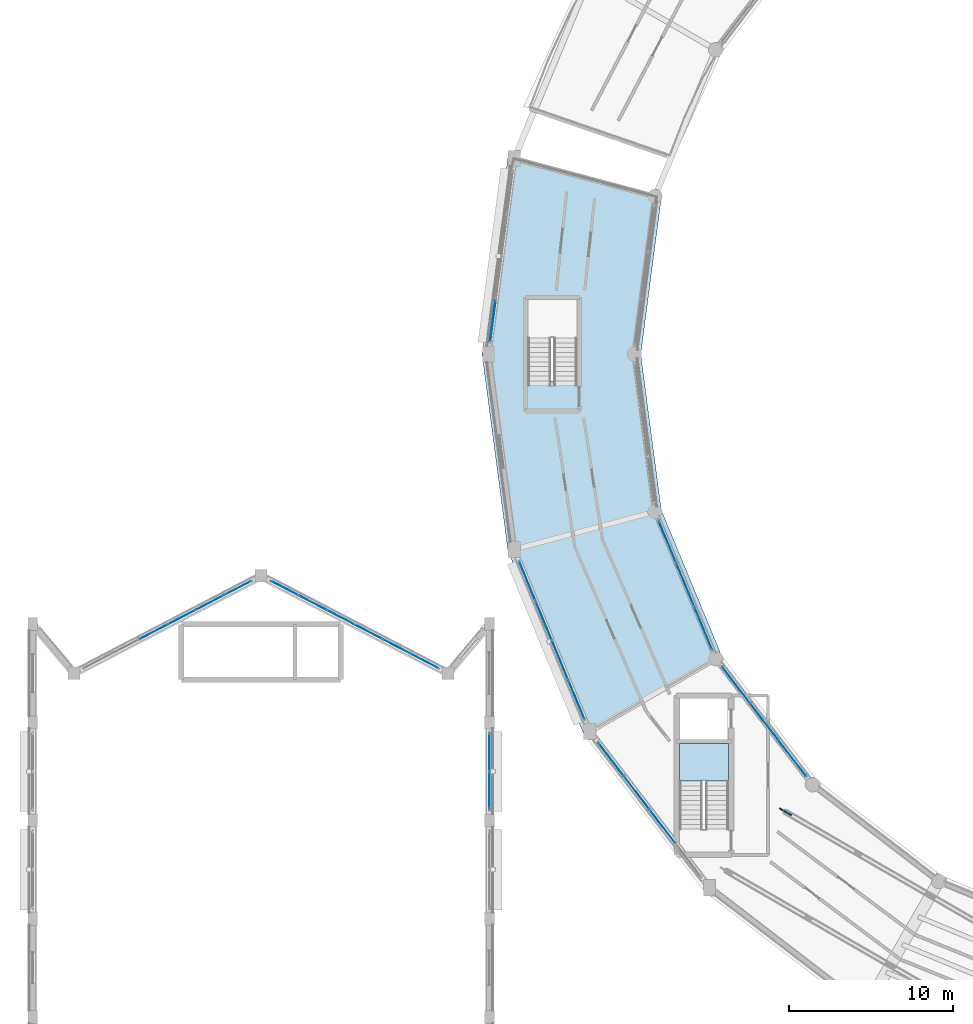
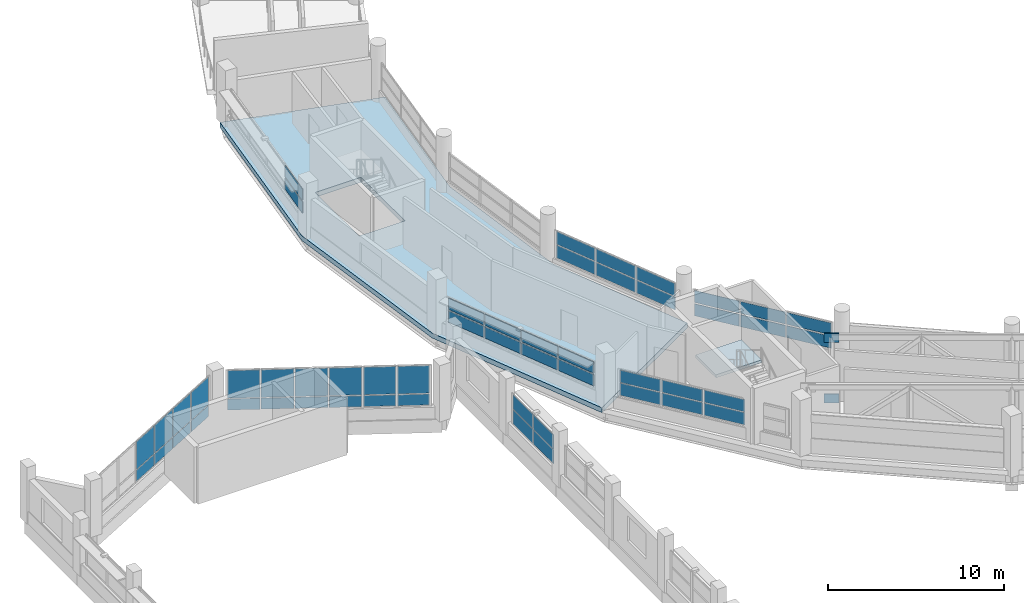
# One storey, part 88 of 121: 54 plates, 2 slabs, 9 elements without a shape of their own.
"""IFC4 building model written with IfcOpenShell, lengths in metres."""

from ifc_helpers import new_model, si_unit, direction, frame, origin, origin_2d, place, context, subcontext, project, spatial, polyline, rectangle, outline, extrude, material, layer, layer_set, type_object, element, aggregate, save


model = new_model("IFC4")

# Units and contexts
model_context = context("Model", 3, precision=1e-05, world=origin(), true_north=direction((0.0, 1.0)))
body_context = subcontext(model_context, "Body", "Model", "MODEL_VIEW")
ifc_project = project(units=[si_unit("LENGTHUNIT", "METRE"), si_unit("AREAUNIT", "SQUARE_METRE"), si_unit("VOLUMEUNIT", "CUBIC_METRE"), si_unit("PLANEANGLEUNIT", "RADIAN"), si_unit("MASSUNIT", "GRAM", prefix="KILO")], contexts=[model_context])

# Site, building, storey
site_placement = place(None, origin())
site = spatial("IfcSite", under=ifc_project, at=site_placement, CompositionType="ELEMENT")
building_placement = place(site_placement, origin())
building = spatial("IfcBuilding", under=site, at=building_placement, Name="Vespera Passage Community Centre", CompositionType="ELEMENT")
storey_placement = place(building_placement, frame((0.0, 0.0, 8.699951171875)))
storey = spatial("IfcBuildingStorey", under=building, at=storey_placement, Name="L02", CompositionType="ELEMENT", Elevation=8.699951171875)

# Curtain wall, plates
ifc_material_1 = material(Name="Anodized aluminium 6063-T6", Category="aluminium")
ifc_layer_1 = layer(ifc_material_1, 0.159912109375)
ifc_layer_set_1 = layer_set([ifc_layer_1], Name="Anodized aluminium 6063-T6")
curtain_wall_type_1 = type_object("IfcCurtainWallType", Name="CW-35E", PredefinedType="NOTDEFINED", material=ifc_layer_set_1)
curtain_wall_1_placement = place(storey_placement, origin())
curtain_wall_1 = element("IfcCurtainWall", 1, at=curtain_wall_1_placement, inside=storey, type_object=curtain_wall_type_1, Name="V4 L02 Outer Ribbon Curtain Wall 13", PredefinedType="NOTDEFINED")
ifc_material_2 = material(Name="Low-E insulated vision glass", Category="glass")
ifc_layer_2 = layer(ifc_material_2, 0.028076171875)
ifc_layer_set_2 = layer_set([ifc_layer_2], Name="Low-E insulated vision glass")
plate_type_1 = type_object("IfcPlateType", Name="PL-CWP-28E", PredefinedType="CURTAIN_PANEL", material=ifc_layer_set_2)
plate_1_placement = place(storey_placement, frame((37.2763671875, 44.381103515625, 0.920166015625), z_axis=(0.0, 0.0, 1.0), x_axis=(-0.382679142535, 0.923881309405, 0.0)))
plate_1 = element("IfcPlate", 2, at=plate_1_placement, type_object=plate_type_1, Name="CW-35E panel 1.1", PredefinedType="CURTAIN_PANEL", context=body_context, shape_type="SweptSolid", body=[
    extrude(rectangle(XDim=2.51806640625, YDim=0.028076171875, at=origin_2d()), origin(), (0.0, 0.0, 1.0), 0.78271484375),
])
plate_2_placement = place(storey_placement, frame((37.2763671875, 44.381103515625, 1.802978515625), z_axis=(0.0, 0.0, 1.0), x_axis=(-0.382679142535, 0.923881309405, 0.0)))
plate_2 = element("IfcPlate", 3, at=plate_2_placement, type_object=plate_type_1, Name="CW-35E panel 1.2", PredefinedType="CURTAIN_PANEL", context=body_context, shape_type="SweptSolid", body=[
    extrude(rectangle(XDim=2.51806640625, YDim=0.028076171875, at=origin_2d()), origin(), (0.0, 0.0, 1.0), 0.78271484375),
])
plate_3_placement = place(storey_placement, frame((36.27685546875, 46.7939453125, 0.920166015625), z_axis=(0.0, 0.0, 1.0), x_axis=(-0.382679142535, 0.923881309405, 0.0)))
plate_3 = element("IfcPlate", 4, at=plate_3_placement, type_object=plate_type_1, Name="CW-35E panel 2.1", PredefinedType="CURTAIN_PANEL", context=body_context, shape_type="SweptSolid", body=[
    extrude(rectangle(XDim=2.555419921875, YDim=0.028076171875, at=origin_2d()), origin(), (0.0, 0.0, 1.0), 0.78271484375),
])
plate_4_placement = place(storey_placement, frame((36.27685546875, 46.7939453125, 1.802978515625), z_axis=(0.0, 0.0, 1.0), x_axis=(-0.382679142535, 0.923881309405, 0.0)))
plate_4 = element("IfcPlate", 5, at=plate_4_placement, type_object=plate_type_1, Name="CW-35E panel 2.2", PredefinedType="CURTAIN_PANEL", context=body_context, shape_type="SweptSolid", body=[
    extrude(rectangle(XDim=2.555419921875, YDim=0.028076171875, at=origin_2d()), origin(), (0.0, 0.0, 1.0), 0.78271484375),
])
plate_5_placement = place(storey_placement, frame((35.270263671875, 49.224365234375, 0.920166015625), z_axis=(0.0, 0.0, 1.0), x_axis=(-0.382679142535, 0.923881309405, 0.0)))
plate_5 = element("IfcPlate", 6, at=plate_5_placement, type_object=plate_type_1, Name="CW-35E panel 3.1", PredefinedType="CURTAIN_PANEL", context=body_context, shape_type="SweptSolid", body=[
    extrude(rectangle(XDim=2.555419921875, YDim=0.028076171875, at=origin_2d()), origin(), (0.0, 0.0, 1.0), 0.78271484375),
])
plate_6_placement = place(storey_placement, frame((35.270263671875, 49.224365234375, 1.802978515625), z_axis=(0.0, 0.0, 1.0), x_axis=(-0.382679142535, 0.923881309405, 0.0)))
plate_6 = element("IfcPlate", 7, at=plate_6_placement, type_object=plate_type_1, Name="CW-35E panel 3.2", PredefinedType="CURTAIN_PANEL", context=body_context, shape_type="SweptSolid", body=[
    extrude(rectangle(XDim=2.555419921875, YDim=0.028076171875, at=origin_2d()), origin(), (0.0, 0.0, 1.0), 0.78271484375),
])
plate_7_placement = place(storey_placement, frame((34.270751953125, 51.63720703125, 0.920166015625), z_axis=(0.0, 0.0, 1.0), x_axis=(-0.382679142535, 0.923881309405, 0.0)))
plate_7 = element("IfcPlate", 8, at=plate_7_placement, type_object=plate_type_1, Name="CW-35E panel 4.1", PredefinedType="CURTAIN_PANEL", context=body_context, shape_type="SweptSolid", body=[
    extrude(rectangle(XDim=2.51806640625, YDim=0.028076171875, at=origin_2d()), origin(), (0.0, 0.0, 1.0), 0.78271484375),
])
plate_8_placement = place(storey_placement, frame((34.270751953125, 51.63720703125, 1.802978515625), z_axis=(0.0, 0.0, 1.0), x_axis=(-0.382679142535, 0.923881309405, 0.0)))
plate_8 = element("IfcPlate", 9, at=plate_8_placement, type_object=plate_type_1, Name="CW-35E panel 4.2", PredefinedType="CURTAIN_PANEL", context=body_context, shape_type="SweptSolid", body=[
    extrude(rectangle(XDim=2.51806640625, YDim=0.028076171875, at=origin_2d()), origin(), (0.0, 0.0, 1.0), 0.78271484375),
])
aggregate(curtain_wall_1, [plate_1, plate_2, plate_3, plate_4, plate_5, plate_6, plate_7, plate_8])

ifc_material_3 = material(Name="Anodized aluminium 6063-T6", Category="aluminium")
ifc_layer_3 = layer(ifc_material_3, 0.159912109375)
ifc_layer_set_3 = layer_set([ifc_layer_3], Name="Anodized aluminium 6063-T6")
curtain_wall_type_2 = type_object("IfcCurtainWallType", Name="CW-25E", PredefinedType="NOTDEFINED", material=ifc_layer_set_3)
curtain_wall_2_placement = place(storey_placement, origin())
curtain_wall_2 = element("IfcCurtainWall", 10, at=curtain_wall_2_placement, inside=storey, type_object=curtain_wall_type_2, Name="V4 L02 Inner Court Curtain Wall 13", PredefinedType="NOTDEFINED")
plate_9_placement = place(storey_placement, frame((42.831787109375, 54.02685546875, 0.880126953125), z_axis=(0.0, 0.0, 1.0), x_axis=(0.382690463482, -0.923876620096, 0.0)))
plate_9 = element("IfcPlate", 11, at=plate_9_placement, type_object=plate_type_1, Name="CW-25E panel 1.1", PredefinedType="CURTAIN_PANEL", context=body_context, shape_type="SweptSolid", body=[
    extrude(rectangle(XDim=2.7646484375, YDim=0.028076171875, at=origin_2d()), origin(), (0.0, 0.0, 1.0), 0.884765625),
])
plate_10_placement = place(storey_placement, frame((42.831787109375, 54.02685546875, 1.82470703125), z_axis=(0.0, 0.0, 1.0), x_axis=(0.382690463482, -0.923876620096, 0.0)))
plate_10 = element("IfcPlate", 12, at=plate_10_placement, type_object=plate_type_1, Name="CW-25E panel 1.2", PredefinedType="CURTAIN_PANEL", context=body_context, shape_type="SweptSolid", body=[
    extrude(rectangle(XDim=2.7646484375, YDim=0.028076171875, at=origin_2d()), origin(), (0.0, 0.0, 1.0), 0.884765625),
])
plate_11_placement = place(storey_placement, frame((43.92578125, 51.385986328125, 0.880126953125), z_axis=(0.0, 0.0, 1.0), x_axis=(0.382690463482, -0.923876620096, 0.0)))
plate_11 = element("IfcPlate", 13, at=plate_11_placement, type_object=plate_type_1, Name="CW-25E panel 2.1", PredefinedType="CURTAIN_PANEL", context=body_context, shape_type="SweptSolid", body=[
    extrude(rectangle(XDim=2.80224609375, YDim=0.028076171875, at=origin_2d()), origin(), (0.0, 0.0, 1.0), 0.884765625),
])
plate_12_placement = place(storey_placement, frame((43.92578125, 51.385986328125, 1.82470703125), z_axis=(0.0, 0.0, 1.0), x_axis=(0.382690463482, -0.923876620096, 0.0)))
plate_12 = element("IfcPlate", 14, at=plate_12_placement, type_object=plate_type_1, Name="CW-25E panel 2.2", PredefinedType="CURTAIN_PANEL", context=body_context, shape_type="SweptSolid", body=[
    extrude(rectangle(XDim=2.80224609375, YDim=0.028076171875, at=origin_2d()), origin(), (0.0, 0.0, 1.0), 0.884765625),
])
plate_13_placement = place(storey_placement, frame((45.019775390625, 48.7451171875, 0.880126953125), z_axis=(0.0, 0.0, 1.0), x_axis=(0.382690463482, -0.923876620096, 0.0)))
plate_13 = element("IfcPlate", 15, at=plate_13_placement, type_object=plate_type_1, Name="CW-25E panel 3.1", PredefinedType="CURTAIN_PANEL", context=body_context, shape_type="SweptSolid", body=[
    extrude(rectangle(XDim=2.7646484375, YDim=0.028076171875, at=origin_2d()), origin(), (0.0, 0.0, 1.0), 0.884765625),
])
plate_14_placement = place(storey_placement, frame((45.019775390625, 48.7451171875, 1.82470703125), z_axis=(0.0, 0.0, 1.0), x_axis=(0.382690463482, -0.923876620096, 0.0)))
plate_14 = element("IfcPlate", 16, at=plate_14_placement, type_object=plate_type_1, Name="CW-25E panel 3.2", PredefinedType="CURTAIN_PANEL", context=body_context, shape_type="SweptSolid", body=[
    extrude(rectangle(XDim=2.7646484375, YDim=0.028076171875, at=origin_2d()), origin(), (0.0, 0.0, 1.0), 0.884765625),
])
aggregate(curtain_wall_2, [plate_9, plate_10, plate_11, plate_12, plate_13, plate_14])

ifc_material_4 = material(Name="Anodized aluminium 6063-T6", Category="aluminium")
ifc_layer_4 = layer(ifc_material_4, 0.159912109375)
ifc_layer_set_4 = layer_set([ifc_layer_4], Name="Anodized aluminium 6063-T6")
curtain_wall_type_3 = type_object("IfcCurtainWallType", Name="CW-87E", PredefinedType="NOTDEFINED", material=ifc_layer_set_4)
curtain_wall_3_placement = place(storey_placement, origin())
curtain_wall_3 = element("IfcCurtainWall", 17, at=curtain_wall_3_placement, inside=storey, type_object=curtain_wall_type_3, Name="V1 L02 N Apse Ribbon Curtain Wall 2", PredefinedType="NOTDEFINED")
plate_15_placement = place(storey_placement, frame((11.428466796875, 48.529052734375, 0.85986328125), z_axis=(0.0, 0.0, 1.0), x_axis=(0.887012747062, 0.46174493668, 0.0)))
plate_15 = element("IfcPlate", 18, at=plate_15_placement, type_object=plate_type_1, Name="CW-87E panel 3.1", PredefinedType="CURTAIN_PANEL", context=body_context, shape_type="SweptSolid", body=[
    extrude(rectangle(XDim=1.859619140625, YDim=0.028076171875, at=origin_2d()), origin(), (0.0, 0.0, 1.0), 0.760009765625),
])
plate_16_placement = place(storey_placement, frame((11.428466796875, 48.529052734375, 1.68017578125), z_axis=(0.0, 0.0, 1.0), x_axis=(0.887012747062, 0.46174493668, 0.0)))
plate_16 = element("IfcPlate", 19, at=plate_16_placement, type_object=plate_type_1, Name="CW-87E panel 3.2", PredefinedType="CURTAIN_PANEL", context=body_context, shape_type="SweptSolid", body=[
    extrude(rectangle(XDim=1.859619140625, YDim=0.028076171875, at=origin_2d()), origin(), (0.0, 0.0, 1.0), 1.909912109375),
])
plate_17_placement = place(storey_placement, frame((13.144287109375, 49.42236328125, 0.85986328125), z_axis=(0.0, 0.0, 1.0), x_axis=(0.887012747062, 0.46174493668, 0.0)))
plate_17 = element("IfcPlate", 20, at=plate_17_placement, type_object=plate_type_1, Name="CW-87E panel 4.1", PredefinedType="CURTAIN_PANEL", context=body_context, shape_type="SweptSolid", body=[
    extrude(rectangle(XDim=1.859619140625, YDim=0.028076171875, at=origin_2d()), origin(), (0.0, 0.0, 1.0), 0.760009765625),
])
plate_18_placement = place(storey_placement, frame((13.144287109375, 49.42236328125, 1.68017578125), z_axis=(0.0, 0.0, 1.0), x_axis=(0.887012747062, 0.46174493668, 0.0)))
plate_18 = element("IfcPlate", 21, at=plate_18_placement, type_object=plate_type_1, Name="CW-87E panel 4.2", PredefinedType="CURTAIN_PANEL", context=body_context, shape_type="SweptSolid", body=[
    extrude(rectangle(XDim=1.859619140625, YDim=0.028076171875, at=origin_2d()), origin(), (0.0, 0.0, 1.0), 1.909912109375),
])
plate_19_placement = place(storey_placement, frame((14.8603515625, 50.315673828125, 0.85986328125), z_axis=(0.0, 0.0, 1.0), x_axis=(0.887012747062, 0.46174493668, 0.0)))
plate_19 = element("IfcPlate", 22, at=plate_19_placement, type_object=plate_type_1, Name="CW-87E panel 5.1", PredefinedType="CURTAIN_PANEL", context=body_context, shape_type="SweptSolid", body=[
    extrude(rectangle(XDim=1.859619140625, YDim=0.028076171875, at=origin_2d()), origin(), (0.0, 0.0, 1.0), 0.760009765625),
])
plate_20_placement = place(storey_placement, frame((14.8603515625, 50.315673828125, 1.68017578125), z_axis=(0.0, 0.0, 1.0), x_axis=(0.887012747062, 0.46174493668, 0.0)))
plate_20 = element("IfcPlate", 23, at=plate_20_placement, type_object=plate_type_1, Name="CW-87E panel 5.2", PredefinedType="CURTAIN_PANEL", context=body_context, shape_type="SweptSolid", body=[
    extrude(rectangle(XDim=1.859619140625, YDim=0.028076171875, at=origin_2d()), origin(), (0.0, 0.0, 1.0), 1.909912109375),
])
plate_21_placement = place(storey_placement, frame((16.5595703125, 51.2001953125, 0.85986328125), z_axis=(0.0, 0.0, 1.0), x_axis=(0.887012747062, 0.46174493668, 0.0)))
plate_21 = element("IfcPlate", 24, at=plate_21_placement, type_object=plate_type_1, Name="CW-87E panel 6.1", PredefinedType="CURTAIN_PANEL", context=body_context, shape_type="SweptSolid", body=[
    extrude(rectangle(XDim=1.822021484375, YDim=0.028076171875, at=origin_2d()), origin(), (0.0, 0.0, 1.0), 0.760009765625),
])
plate_22_placement = place(storey_placement, frame((16.5595703125, 51.2001953125, 1.68017578125), z_axis=(0.0, 0.0, 1.0), x_axis=(0.887012747062, 0.46174493668, 0.0)))
plate_22 = element("IfcPlate", 25, at=plate_22_placement, type_object=plate_type_1, Name="CW-87E panel 6.2", PredefinedType="CURTAIN_PANEL", context=body_context, shape_type="SweptSolid", body=[
    extrude(rectangle(XDim=1.822021484375, YDim=0.028076171875, at=origin_2d()), origin(), (0.0, 0.0, 1.0), 1.909912109375),
])
aggregate(curtain_wall_3, [plate_15, plate_16, plate_17, plate_18, plate_19, plate_20, plate_21, plate_22])

curtain_wall_4_placement = place(storey_placement, origin())
curtain_wall_4 = element("IfcCurtainWall", 26, at=curtain_wall_4_placement, inside=storey, type_object=curtain_wall_type_3, Name="V1 L02 N Apse Ribbon Curtain Wall 3", PredefinedType="NOTDEFINED")
plate_23_placement = place(storey_placement, frame((19.4404296875, 51.2001953125, 0.85986328125), z_axis=(0.0, 0.0, 1.0), x_axis=(0.887012747062, -0.46174493668, 0.0)))
plate_23 = element("IfcPlate", 27, at=plate_23_placement, type_object=plate_type_1, Name="CW-87E panel 1.1", PredefinedType="CURTAIN_PANEL", context=body_context, shape_type="SweptSolid", body=[
    extrude(rectangle(XDim=1.822021484375, YDim=0.028076171875, at=origin_2d()), origin(), (0.0, 0.0, 1.0), 0.760009765625),
])
plate_24_placement = place(storey_placement, frame((19.4404296875, 51.2001953125, 1.68017578125), z_axis=(0.0, 0.0, 1.0), x_axis=(0.887012747062, -0.46174493668, 0.0)))
plate_24 = element("IfcPlate", 28, at=plate_24_placement, type_object=plate_type_1, Name="CW-87E panel 1.2", PredefinedType="CURTAIN_PANEL", context=body_context, shape_type="SweptSolid", body=[
    extrude(rectangle(XDim=1.822021484375, YDim=0.028076171875, at=origin_2d()), origin(), (0.0, 0.0, 1.0), 1.909912109375),
])
plate_25_placement = place(storey_placement, frame((21.1396484375, 50.315673828125, 0.85986328125), z_axis=(0.0, 0.0, 1.0), x_axis=(0.887012747062, -0.46174493668, 0.0)))
plate_25 = element("IfcPlate", 29, at=plate_25_placement, type_object=plate_type_1, Name="CW-87E panel 2.1", PredefinedType="CURTAIN_PANEL", context=body_context, shape_type="SweptSolid", body=[
    extrude(rectangle(XDim=1.859619140625, YDim=0.028076171875, at=origin_2d()), origin(), (0.0, 0.0, 1.0), 0.760009765625),
])
plate_26_placement = place(storey_placement, frame((21.1396484375, 50.315673828125, 1.68017578125), z_axis=(0.0, 0.0, 1.0), x_axis=(0.887012747062, -0.46174493668, 0.0)))
plate_26 = element("IfcPlate", 30, at=plate_26_placement, type_object=plate_type_1, Name="CW-87E panel 2.2", PredefinedType="CURTAIN_PANEL", context=body_context, shape_type="SweptSolid", body=[
    extrude(rectangle(XDim=1.859619140625, YDim=0.028076171875, at=origin_2d()), origin(), (0.0, 0.0, 1.0), 1.909912109375),
])
plate_27_placement = place(storey_placement, frame((22.855712890625, 49.42236328125, 0.85986328125), z_axis=(0.0, 0.0, 1.0), x_axis=(0.887012747062, -0.46174493668, 0.0)))
plate_27 = element("IfcPlate", 31, at=plate_27_placement, type_object=plate_type_1, Name="CW-87E panel 3.1", PredefinedType="CURTAIN_PANEL", context=body_context, shape_type="SweptSolid", body=[
    extrude(rectangle(XDim=1.859619140625, YDim=0.028076171875, at=origin_2d()), origin(), (0.0, 0.0, 1.0), 0.760009765625),
])
plate_28_placement = place(storey_placement, frame((22.855712890625, 49.42236328125, 1.68017578125), z_axis=(0.0, 0.0, 1.0), x_axis=(0.887012747062, -0.46174493668, 0.0)))
plate_28 = element("IfcPlate", 32, at=plate_28_placement, type_object=plate_type_1, Name="CW-87E panel 3.2", PredefinedType="CURTAIN_PANEL", context=body_context, shape_type="SweptSolid", body=[
    extrude(rectangle(XDim=1.859619140625, YDim=0.028076171875, at=origin_2d()), origin(), (0.0, 0.0, 1.0), 1.909912109375),
])
plate_29_placement = place(storey_placement, frame((24.571533203125, 48.529052734375, 0.85986328125), z_axis=(0.0, 0.0, 1.0), x_axis=(0.887012747062, -0.46174493668, 0.0)))
plate_29 = element("IfcPlate", 33, at=plate_29_placement, type_object=plate_type_1, Name="CW-87E panel 4.1", PredefinedType="CURTAIN_PANEL", context=body_context, shape_type="SweptSolid", body=[
    extrude(rectangle(XDim=1.859619140625, YDim=0.028076171875, at=origin_2d()), origin(), (0.0, 0.0, 1.0), 0.760009765625),
])
plate_30_placement = place(storey_placement, frame((24.571533203125, 48.529052734375, 1.68017578125), z_axis=(0.0, 0.0, 1.0), x_axis=(0.887012747062, -0.46174493668, 0.0)))
plate_30 = element("IfcPlate", 34, at=plate_30_placement, type_object=plate_type_1, Name="CW-87E panel 4.2", PredefinedType="CURTAIN_PANEL", context=body_context, shape_type="SweptSolid", body=[
    extrude(rectangle(XDim=1.859619140625, YDim=0.028076171875, at=origin_2d()), origin(), (0.0, 0.0, 1.0), 1.909912109375),
])
plate_31_placement = place(storey_placement, frame((26.28759765625, 47.6357421875, 0.85986328125), z_axis=(0.0, 0.0, 1.0), x_axis=(0.887012747062, -0.46174493668, 0.0)))
plate_31 = element("IfcPlate", 35, at=plate_31_placement, type_object=plate_type_1, Name="CW-87E panel 5.1", PredefinedType="CURTAIN_PANEL", context=body_context, shape_type="SweptSolid", body=[
    extrude(rectangle(XDim=1.859619140625, YDim=0.028076171875, at=origin_2d()), origin(), (0.0, 0.0, 1.0), 0.760009765625),
])
plate_32_placement = place(storey_placement, frame((26.28759765625, 47.6357421875, 1.68017578125), z_axis=(0.0, 0.0, 1.0), x_axis=(0.887012747062, -0.46174493668, 0.0)))
plate_32 = element("IfcPlate", 36, at=plate_32_placement, type_object=plate_type_1, Name="CW-87E panel 5.2", PredefinedType="CURTAIN_PANEL", context=body_context, shape_type="SweptSolid", body=[
    extrude(rectangle(XDim=1.859619140625, YDim=0.028076171875, at=origin_2d()), origin(), (0.0, 0.0, 1.0), 1.909912109375),
])
plate_33_placement = place(storey_placement, frame((27.98681640625, 46.751220703125, 0.85986328125), z_axis=(0.0, 0.0, 1.0), x_axis=(0.887012747062, -0.46174493668, 0.0)))
plate_33 = element("IfcPlate", 37, at=plate_33_placement, type_object=plate_type_1, Name="CW-87E panel 6.1", PredefinedType="CURTAIN_PANEL", context=body_context, shape_type="SweptSolid", body=[
    extrude(rectangle(XDim=1.822021484375, YDim=0.028076171875, at=origin_2d()), origin(), (0.0, 0.0, 1.0), 0.760009765625),
])
plate_34_placement = place(storey_placement, frame((27.98681640625, 46.751220703125, 1.68017578125), z_axis=(0.0, 0.0, 1.0), x_axis=(0.887012747062, -0.46174493668, 0.0)))
plate_34 = element("IfcPlate", 38, at=plate_34_placement, type_object=plate_type_1, Name="CW-87E panel 6.2", PredefinedType="CURTAIN_PANEL", context=body_context, shape_type="SweptSolid", body=[
    extrude(rectangle(XDim=1.822021484375, YDim=0.028076171875, at=origin_2d()), origin(), (0.0, 0.0, 1.0), 1.909912109375),
])
aggregate(curtain_wall_4, [plate_23, plate_24, plate_25, plate_26, plate_27, plate_28, plate_29, plate_30, plate_31, plate_32, plate_33, plate_34])

ifc_material_5 = material(Name="Anodized aluminium 6063-T6", Category="aluminium")
ifc_layer_5 = layer(ifc_material_5, 0.159912109375)
ifc_layer_set_5 = layer_set([ifc_layer_5], Name="Anodized aluminium 6063-T6")
curtain_wall_type_4 = type_object("IfcCurtainWallType", Name="CW-33E", PredefinedType="NOTDEFINED", material=ifc_layer_set_5)
curtain_wall_5_placement = place(storey_placement, origin())
curtain_wall_5 = element("IfcCurtainWall", 39, at=curtain_wall_5_placement, inside=storey, type_object=curtain_wall_type_4, Name="V4 L02 Outer Ribbon Curtain Wall 11", PredefinedType="NOTDEFINED")
ifc_material_6 = material(Name="Acoustic triple-glazed vision glass", Category="glass")
ifc_layer_6 = layer(ifc_material_6, 0.035888671875)
ifc_layer_set_6 = layer_set([ifc_layer_6], Name="Acoustic triple-glazed vision glass")
plate_type_2 = type_object("IfcPlateType", Name="PL-CWP-36E", PredefinedType="CURTAIN_PANEL", material=ifc_layer_set_6)
plate_35_placement = place(storey_placement, frame((32.169189453125, 67.544921875, 0.920166015625), z_axis=(0.0, 0.0, 1.0), x_axis=(0.130522869458, 0.991445298818, 0.0)))
plate_35 = element("IfcPlate", 40, at=plate_35_placement, type_object=plate_type_2, Name="CW-33E panel 1.1", PredefinedType="CURTAIN_PANEL", context=body_context, shape_type="SweptSolid", body=[
    extrude(rectangle(XDim=2.536376953125, YDim=0.035888671875, at=origin_2d()), origin(), (0.0, 0.0, 1.0), 0.78271484375),
])
plate_36_placement = place(storey_placement, frame((32.169189453125, 67.544921875, 1.802978515625), z_axis=(0.0, 0.0, 1.0), x_axis=(0.130522869458, 0.991445298818, 0.0)))
plate_36 = element("IfcPlate", 41, at=plate_36_placement, type_object=plate_type_2, Name="CW-33E panel 1.2", PredefinedType="CURTAIN_PANEL", context=body_context, shape_type="SweptSolid", body=[
    extrude(rectangle(XDim=2.536376953125, YDim=0.035888671875, at=origin_2d()), origin(), (0.0, 0.0, 1.0), 0.78271484375),
])
aggregate(curtain_wall_5, [plate_35, plate_36])

ifc_material_7 = material(Name="Anodized aluminium 6063-T6", Category="aluminium")
ifc_layer_7 = layer(ifc_material_7, 0.159912109375)
ifc_layer_set_7 = layer_set([ifc_layer_7], Name="Anodized aluminium 6063-T6")
curtain_wall_type_5 = type_object("IfcCurtainWallType", Name="CW-36E", PredefinedType="NOTDEFINED", material=ifc_layer_set_7)
curtain_wall_6_placement = place(storey_placement, origin())
curtain_wall_6 = element("IfcCurtainWall", 42, at=curtain_wall_6_placement, inside=storey, type_object=curtain_wall_type_5, Name="V4 L02 Outer Ribbon Curtain Wall 14", PredefinedType="NOTDEFINED")
plate_37_placement = place(storey_placement, frame((42.528564453125, 36.6474609375, 0.880126953125), z_axis=(0.0, 0.0, 1.0), x_axis=(-0.608765447029, 0.793350257139, 0.0)))
plate_37 = element("IfcPlate", 43, at=plate_37_placement, type_object=plate_type_2, Name="CW-36E panel 2.1", PredefinedType="CURTAIN_PANEL", context=body_context, shape_type="SweptSolid", body=[
    extrude(rectangle(XDim=2.51806640625, YDim=0.035888671875, at=origin_2d()), origin(), (0.0, 0.0, 1.0), 0.8427734375),
])
plate_38_placement = place(storey_placement, frame((42.528564453125, 36.6474609375, 1.782958984375), z_axis=(0.0, 0.0, 1.0), x_axis=(-0.608765447029, 0.793350257139, 0.0)))
plate_38 = element("IfcPlate", 44, at=plate_38_placement, type_object=plate_type_2, Name="CW-36E panel 2.2", PredefinedType="CURTAIN_PANEL", context=body_context, shape_type="SweptSolid", body=[
    extrude(rectangle(XDim=2.51806640625, YDim=0.035888671875, at=origin_2d()), origin(), (0.0, 0.0, 1.0), 0.8427734375),
])
plate_39_placement = place(storey_placement, frame((40.949951171875, 38.704833984375, 0.880126953125), z_axis=(0.0, 0.0, 1.0), x_axis=(-0.608765447029, 0.793350257139, 0.0)))
plate_39 = element("IfcPlate", 45, at=plate_39_placement, type_object=plate_type_2, Name="CW-36E panel 3.1", PredefinedType="CURTAIN_PANEL", context=body_context, shape_type="SweptSolid", body=[
    extrude(rectangle(XDim=2.51806640625, YDim=0.035888671875, at=origin_2d()), origin(), (0.0, 0.0, 1.0), 0.8427734375),
])
plate_40_placement = place(storey_placement, frame((40.949951171875, 38.704833984375, 1.782958984375), z_axis=(0.0, 0.0, 1.0), x_axis=(-0.608765447029, 0.793350257139, 0.0)))
plate_40 = element("IfcPlate", 46, at=plate_40_placement, type_object=plate_type_2, Name="CW-36E panel 3.2", PredefinedType="CURTAIN_PANEL", context=body_context, shape_type="SweptSolid", body=[
    extrude(rectangle(XDim=2.51806640625, YDim=0.035888671875, at=origin_2d()), origin(), (0.0, 0.0, 1.0), 0.8427734375),
])
plate_41_placement = place(storey_placement, frame((39.3828125, 40.747314453125, 0.880126953125), z_axis=(0.0, 0.0, 1.0), x_axis=(-0.608765447029, 0.793350257139, 0.0)))
plate_41 = element("IfcPlate", 47, at=plate_41_placement, type_object=plate_type_2, Name="CW-36E panel 4.1", PredefinedType="CURTAIN_PANEL", context=body_context, shape_type="SweptSolid", body=[
    extrude(rectangle(XDim=2.480712890625, YDim=0.035888671875, at=origin_2d()), origin(), (0.0, 0.0, 1.0), 0.8427734375),
])
plate_42_placement = place(storey_placement, frame((39.3828125, 40.747314453125, 1.782958984375), z_axis=(0.0, 0.0, 1.0), x_axis=(-0.608765447029, 0.793350257139, 0.0)))
plate_42 = element("IfcPlate", 48, at=plate_42_placement, type_object=plate_type_2, Name="CW-36E panel 4.2", PredefinedType="CURTAIN_PANEL", context=body_context, shape_type="SweptSolid", body=[
    extrude(rectangle(XDim=2.480712890625, YDim=0.035888671875, at=origin_2d()), origin(), (0.0, 0.0, 1.0), 0.8427734375),
])
aggregate(curtain_wall_6, [plate_37, plate_38, plate_39, plate_40, plate_41, plate_42])

ifc_material_8 = material(Name="Anodized aluminium 6063-T6", Category="aluminium")
ifc_layer_8 = layer(ifc_material_8, 0.159912109375)
ifc_layer_set_8 = layer_set([ifc_layer_8], Name="Anodized aluminium 6063-T6")
curtain_wall_type_6 = type_object("IfcCurtainWallType", Name="CW-30E", PredefinedType="NOTDEFINED", material=ifc_layer_set_8)
curtain_wall_7_placement = place(storey_placement, origin())
curtain_wall_7 = element("IfcCurtainWall", 49, at=curtain_wall_7_placement, inside=storey, type_object=curtain_wall_type_6, Name="V4 L02 Inner Court Curtain Wall 14", PredefinedType="NOTDEFINED")
plate_43_placement = place(storey_placement, frame((47.019775390625, 45.289306640625, 0.920166015625), z_axis=(0.0, 0.0, 1.0), x_axis=(0.608755087843, -0.793358205999, 0.0)))
plate_43 = element("IfcPlate", 50, at=plate_43_placement, type_object=plate_type_2, Name="CW-30E panel 1.1", PredefinedType="CURTAIN_PANEL", context=body_context, shape_type="SweptSolid", body=[
    extrude(rectangle(XDim=2.744140625, YDim=0.035888671875, at=origin_2d()), origin(), (0.0, 0.0, 1.0), 0.82470703125),
])
plate_44_placement = place(storey_placement, frame((47.019775390625, 45.289306640625, 1.8447265625), z_axis=(0.0, 0.0, 1.0), x_axis=(0.608755087843, -0.793358205999, 0.0)))
plate_44 = element("IfcPlate", 51, at=plate_44_placement, type_object=plate_type_2, Name="CW-30E panel 1.2", PredefinedType="CURTAIN_PANEL", context=body_context, shape_type="SweptSolid", body=[
    extrude(rectangle(XDim=2.744140625, YDim=0.035888671875, at=origin_2d()), origin(), (0.0, 0.0, 1.0), 0.82470703125),
])
plate_45_placement = place(storey_placement, frame((48.73974609375, 43.0478515625, 0.920166015625), z_axis=(0.0, 0.0, 1.0), x_axis=(0.608755087843, -0.793358205999, 0.0)))
plate_45 = element("IfcPlate", 52, at=plate_45_placement, type_object=plate_type_2, Name="CW-30E panel 2.1", PredefinedType="CURTAIN_PANEL", context=body_context, shape_type="SweptSolid", body=[
    extrude(rectangle(XDim=2.776611328125, YDim=0.035888671875, at=origin_2d()), origin(), (0.0, 0.0, 1.0), 0.82470703125),
])
plate_46_placement = place(storey_placement, frame((48.73974609375, 43.0478515625, 1.8447265625), z_axis=(0.0, 0.0, 1.0), x_axis=(0.608755087843, -0.793358205999, 0.0)))
plate_46 = element("IfcPlate", 53, at=plate_46_placement, type_object=plate_type_2, Name="CW-30E panel 2.2", PredefinedType="CURTAIN_PANEL", context=body_context, shape_type="SweptSolid", body=[
    extrude(rectangle(XDim=2.776611328125, YDim=0.035888671875, at=origin_2d()), origin(), (0.0, 0.0, 1.0), 0.82470703125),
])
plate_47_placement = place(storey_placement, frame((50.459716796875, 40.806396484375, 0.920166015625), z_axis=(0.0, 0.0, 1.0), x_axis=(0.608755087843, -0.793358205999, 0.0)))
plate_47 = element("IfcPlate", 54, at=plate_47_placement, type_object=plate_type_2, Name="CW-30E panel 3.1", PredefinedType="CURTAIN_PANEL", context=body_context, shape_type="SweptSolid", body=[
    extrude(rectangle(XDim=2.744140625, YDim=0.035888671875, at=origin_2d()), origin(), (0.0, 0.0, 1.0), 0.82470703125),
])
plate_48_placement = place(storey_placement, frame((50.459716796875, 40.806396484375, 1.8447265625), z_axis=(0.0, 0.0, 1.0), x_axis=(0.608755087843, -0.793358205999, 0.0)))
plate_48 = element("IfcPlate", 55, at=plate_48_placement, type_object=plate_type_2, Name="CW-30E panel 3.2", PredefinedType="CURTAIN_PANEL", context=body_context, shape_type="SweptSolid", body=[
    extrude(rectangle(XDim=2.744140625, YDim=0.035888671875, at=origin_2d()), origin(), (0.0, 0.0, 1.0), 0.82470703125),
])
aggregate(curtain_wall_7, [plate_43, plate_44, plate_45, plate_46, plate_47, plate_48])

ifc_material_9 = material(Name="Anodized aluminium 6063-T6", Category="aluminium")
ifc_layer_9 = layer(ifc_material_9, 0.159912109375)
ifc_layer_set_9 = layer_set([ifc_layer_9], Name="Anodized aluminium 6063-T6")
curtain_wall_type_7 = type_object("IfcCurtainWallType", Name="CW-86E", PredefinedType="NOTDEFINED", material=ifc_layer_set_9)
curtain_wall_8_placement = place(storey_placement, origin())
curtain_wall_8 = element("IfcCurtainWall", 56, at=curtain_wall_8_placement, inside=storey, type_object=curtain_wall_type_7, Name="Main Hall Acoustic Curtain Wall L02 E6", PredefinedType="NOTDEFINED")
plate_49_placement = place(storey_placement, frame((31.949951171875, 41.168701171875, 0.91015625), z_axis=(0.0, 0.0, 1.0), x_axis=(0.0, -1.0, 0.0)))
plate_49 = element("IfcPlate", 57, at=plate_49_placement, type_object=plate_type_2, Name="CW-86E panel 1.1", PredefinedType="CURTAIN_PANEL", context=body_context, shape_type="SweptSolid", body=[
    extrude(rectangle(XDim=2.262451171875, YDim=0.035888671875, at=origin_2d()), origin(), (0.0, 0.0, 1.0), 0.967529296875),
])
plate_50_placement = place(storey_placement, frame((31.949951171875, 41.168701171875, 1.9375), z_axis=(0.0, 0.0, 1.0), x_axis=(0.0, -1.0, 0.0)))
plate_50 = element("IfcPlate", 58, at=plate_50_placement, type_object=plate_type_2, Name="CW-86E panel 1.2", PredefinedType="CURTAIN_PANEL", context=body_context, shape_type="SweptSolid", body=[
    extrude(rectangle(XDim=2.262451171875, YDim=0.035888671875, at=origin_2d()), origin(), (0.0, 0.0, 1.0), 0.967529296875),
])
plate_51_placement = place(storey_placement, frame((31.949951171875, 38.831298828125, 0.91015625), z_axis=(0.0, 0.0, 1.0), x_axis=(0.0, -1.0, 0.0)))
plate_51 = element("IfcPlate", 59, at=plate_51_placement, type_object=plate_type_2, Name="CW-86E panel 2.1", PredefinedType="CURTAIN_PANEL", context=body_context, shape_type="SweptSolid", body=[
    extrude(rectangle(XDim=2.262451171875, YDim=0.035888671875, at=origin_2d()), origin(), (0.0, 0.0, 1.0), 0.967529296875),
])
plate_52_placement = place(storey_placement, frame((31.949951171875, 38.831298828125, 1.9375), z_axis=(0.0, 0.0, 1.0), x_axis=(0.0, -1.0, 0.0)))
plate_52 = element("IfcPlate", 60, at=plate_52_placement, type_object=plate_type_2, Name="CW-86E panel 2.2", PredefinedType="CURTAIN_PANEL", context=body_context, shape_type="SweptSolid", body=[
    extrude(rectangle(XDim=2.262451171875, YDim=0.035888671875, at=origin_2d()), origin(), (0.0, 0.0, 1.0), 0.967529296875),
])
aggregate(curtain_wall_8, [plate_49, plate_50, plate_51, plate_52])

# Plates
ifc_material_10 = material(Name="Steel ASTM A572 Grade 50", Category="steel")
ifc_layer_10 = layer(ifc_material_10, 0.074951171875)
ifc_layer_set_10 = layer_set([ifc_layer_10], Name="Steel ASTM A572 Grade 50")
plate_type_3 = type_object("IfcPlateType", Name="PL-NODE-75", PredefinedType="SHEET", material=ifc_layer_set_10)
for number, where, z_axis, x_axis, name in (
    (61, (50.033935546875, 37.533935546875, -1.10009765625), (0.0, 0.0, 1.0), (0.866025403784, -0.5, 0.0), "Truss TR2I Gusset Plate B1"),
    (62, (50.033935546875, 37.533935546875, 3.110107421875), (0.0, 0.0, 1.0), (0.866025403784, -0.5, 0.0), "Truss TR2I Gusset Plate T1"),
):
    element("IfcPlate", number, at=place(storey_placement, frame(where, z_axis=z_axis, x_axis=x_axis)), inside=storey, type_object=plate_type_3, Name=name, PredefinedType="SHEET", context=body_context, shape_type="SweptSolid", body=[
        extrude(rectangle(XDim=0.840087890625, YDim=0.074951171875, at=origin_2d()), origin(), (0.0, 0.0, 1.0), 0.6201171875),
    ])

# Stair, slab
ifc_material_11 = material(Name="Concrete f'c 35 MPa", Category="concrete")
stair_type = type_object("IfcStairType", Name="ST-T09", PredefinedType="HALF_TURN_STAIR", material=ifc_material_11)
stair_placement = place(storey_placement, origin())
stair = element("IfcStair", 63, at=stair_placement, inside=storey, type_object=stair_type, Name="L02 Core C3 Exit Stair ST05", PredefinedType="HALF_TURN_STAIR")
ifc_material_12 = material(Name="Concrete f'c 35 MPa", Category="concrete")
ifc_layer_11 = layer(ifc_material_12, 0.199951171875)
ifc_layer_set_11 = layer_set([ifc_layer_11], Name="Concrete f'c 35 MPa")
slab_type_1 = type_object("IfcSlabType", Name="SL-LAND-200I", PredefinedType="LANDING", material=ifc_layer_set_11)
slab_1_placement = place(storey_placement, frame((0.0, 0.0, 1.75)))
slab_1 = element("IfcSlab", 64, at=slab_1_placement, type_object=slab_type_1, Name="ST05 landing 1", PredefinedType="LANDING", context=body_context, shape_type="SweptSolid", body=[
    extrude(outline(polyline([(46.56103515625, 39.419921875), (46.56103515625, 41.719970703125), (43.56103515625, 41.719970703125), (43.56103515625, 39.419921875), (46.56103515625, 39.419921875)])), origin(), (0.0, 0.0, 1.0), 0.199951171875),
])
aggregate(stair, [slab_1])

# Slab
ifc_material_13 = material(Name="Concrete f'c 45 MPa", Category="concrete")
ifc_layer_12 = layer(ifc_material_13, 0.340087890625)
ifc_layer_set_12 = layer_set([ifc_layer_12], Name="Concrete f'c 45 MPa")
slab_type_2 = type_object("IfcSlabType", Name="SL-XFER-340", PredefinedType="FLOOR", material=ifc_layer_set_12)
slab_2_placement = place(storey_placement, frame((0.0, 0.0, -0.33984375)))
element("IfcSlab", 65, at=slab_2_placement, inside=storey, type_object=slab_type_2, Name="V4 L02 Annular Sector 5 Slab", PredefinedType="FLOOR", context=body_context, shape_type="SweptSolid", body=[
    extrude(outline(polyline([(42.453857421875, 75.0244140625), (41.199951171875, 65.5), (42.453857421875, 55.9755859375), (46.13037109375, 47.10009765625), (37.729736328125, 42.25), (33.08447265625, 53.46484375), (31.5, 65.5), (33.08447265625, 77.53515625), (42.453857421875, 75.0244140625)]), holes=[polyline([(37.300048828125, 68.824951171875), (34.300048828125, 68.824951171875), (34.300048828125, 63.85498046875), (37.300048828125, 63.85498046875), (37.300048828125, 68.824951171875)])]), origin(), (0.0, 0.0, 1.0), 0.33984375),
])

save(model, "model.ifc")
